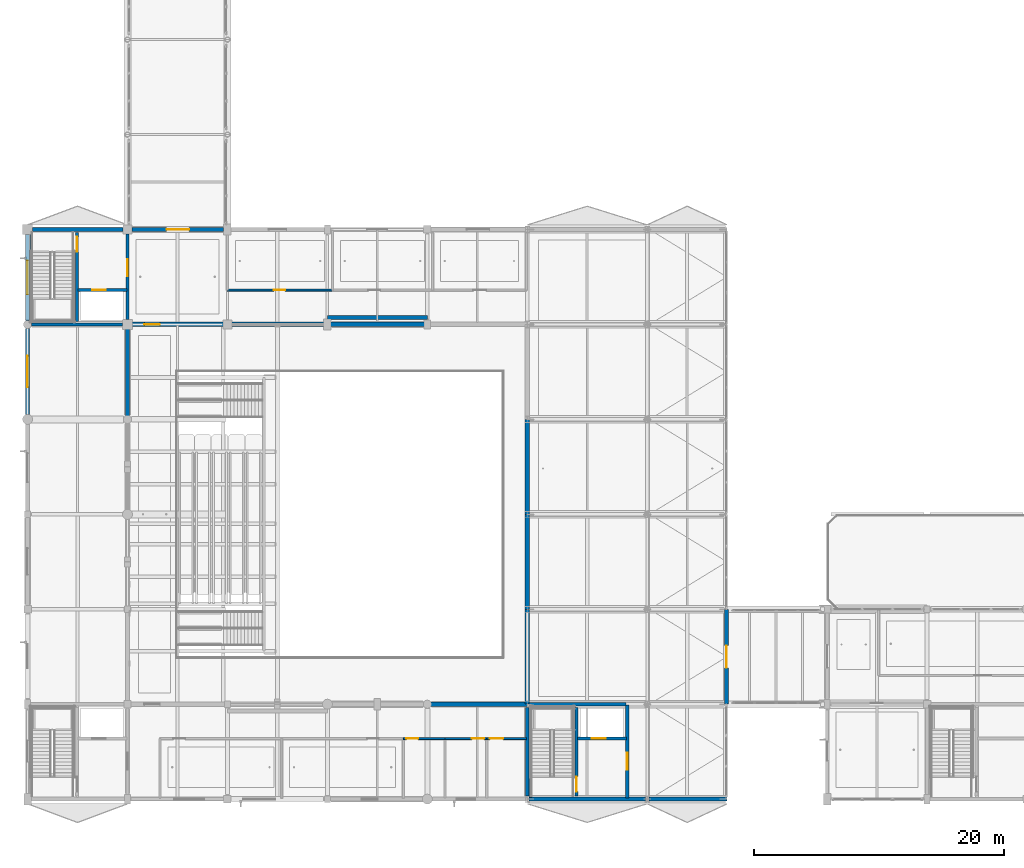
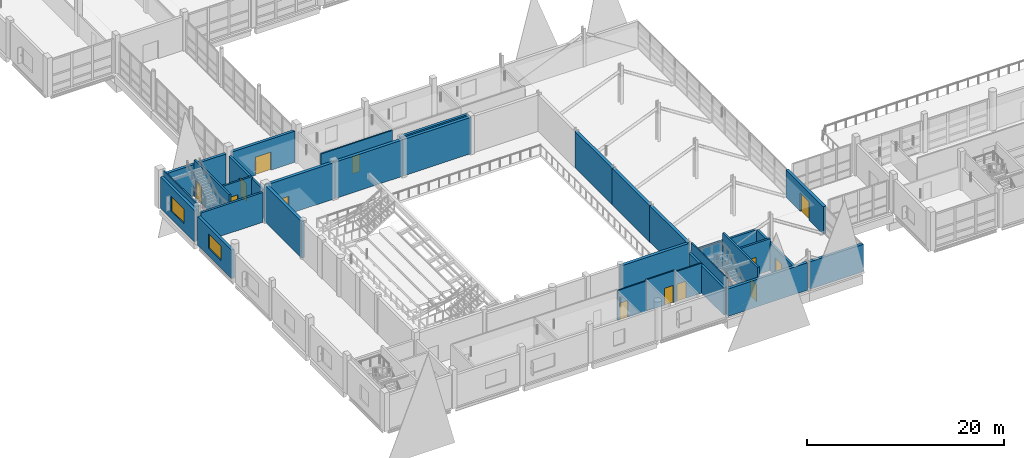
# One storey, part 86 of 147: 31 walls, 13 doors, 2 windows, 15 openings.
"""IFC4 building model written with IfcOpenShell, lengths in metres."""

from ifc_helpers import new_model, si_unit, direction, frame, frame_2d, origin, place, context, subcontext, project, spatial, rectangle, extrude, material, layer, layer_set, type_object, element, fill, save


model = new_model("IFC4")

# Units and contexts
model_context = context("Model", 3, precision=1e-05, world=origin(), true_north=direction((0.0, 1.0)))
body_context = subcontext(model_context, "Body", "Model", "MODEL_VIEW")
ifc_project = project(units=[si_unit("LENGTHUNIT", "METRE"), si_unit("AREAUNIT", "SQUARE_METRE"), si_unit("VOLUMEUNIT", "CUBIC_METRE"), si_unit("PLANEANGLEUNIT", "RADIAN"), si_unit("MASSUNIT", "GRAM", prefix="KILO")], contexts=[model_context])

# Site, building, storey
site_placement = place(None, origin())
site = spatial("IfcSite", under=ifc_project, at=site_placement, CompositionType="ELEMENT")
building_placement = place(site_placement, origin())
building = spatial("IfcBuilding", under=site, at=building_placement, Name="Khelvaren Railside Concert Hall", CompositionType="ELEMENT")
storey_placement = place(building_placement, frame((0.0, 0.0, 5.39990234375)))
storey = spatial("IfcBuildingStorey", under=building, at=storey_placement, Name="L01", CompositionType="ELEMENT", Elevation=5.39990234375)

# Walls
ifc_material_1 = material(Name="Concrete C40/50", Category="concrete")
ifc_layer_1 = layer(ifc_material_1, 0.139892578125)
ifc_layer_set_1 = layer_set([ifc_layer_1], Name="Concrete C40/50")
wall_type_1 = type_object("IfcWallType", Name="CW17", PredefinedType="SOLIDWALL", material=ifc_layer_set_1)
for number, where, z_axis, x_axis, name in (
    (1, (40.27490234375, 0.14990234375, 0.0), (0.0, 0.0, 1.0), (0.0, 1.0, 0.0), "Core Shaft Structural Liner Wall ST-02-L01"),
    (2, (0.27490234375, 38.14990234375, 0.0), (0.0, 0.0, 1.0), (0.0, 1.0, 0.0), "Core Shaft Structural Liner Wall ST-11-L01"),
):
    element("IfcWall", number, at=place(storey_placement, frame(where, z_axis=z_axis, x_axis=x_axis)), inside=storey, type_object=wall_type_1, Name=name, PredefinedType="SOLIDWALL", context=body_context, shape_type="SweptSolid", body=[
        extrude(rectangle(XDim=7.300048828125, YDim=0.139892578125, at=frame_2d((3.64990234375, 0.0))), origin(), (0.0, 0.0, 1.0), 4.510009765625),
    ])
ifc_layer_2 = layer(ifc_material_1, 0.25)
ifc_layer_set_2 = layer_set([ifc_layer_2], Name="Concrete C40/50")
wall_type_2 = type_object("IfcWallType", Name="CW82", PredefinedType="SOLIDWALL", material=ifc_layer_set_2)
wall_1_placement = place(storey_placement, frame((40.0, 0.25, 0.0), z_axis=(0.0, 0.0, 1.0), x_axis=(0.0, 1.0, 0.0)))
element("IfcWall", 3, at=wall_1_placement, inside=storey, type_object=wall_type_2, Name="Core Enclosure Wall CWALL-ST-02-L01-W", PredefinedType="SOLIDWALL", context=body_context, shape_type="SweptSolid", body=[
    extrude(rectangle(XDim=7.10009765625, YDim=0.25, at=frame_2d((3.550048828125, 0.0))), origin(), (0.0, 0.0, 1.0), 3.400146484375),
])
wall_2_placement = place(storey_placement, frame((40.14990234375, 7.60009765625, 0.0), z_axis=(0.0, 0.0, 1.0), x_axis=(1.0, 0.0, 0.0)))
element("IfcWall", 4, at=wall_2_placement, inside=storey, type_object=wall_type_2, Name="Core Enclosure Wall CWALL-ST-02-L01-N", PredefinedType="SOLIDWALL", context=body_context, shape_type="SweptSolid", body=[
    extrude(rectangle(XDim=7.77001953125, YDim=0.25, at=frame_2d((3.885009765625, 0.0))), origin(), (0.0, 0.0, 1.0), 3.400146484375),
])

# Wall, opening, door
wall_3_placement = place(storey_placement, frame((48.0, 0.080078125, 0.0), z_axis=(0.0, 0.0, 1.0), x_axis=(0.0, 1.0, 0.0)))
wall_3 = element("IfcWall", 5, at=wall_3_placement, inside=storey, type_object=wall_type_2, Name="Core Enclosure Wall CWALL-ST-02-L01-E", PredefinedType="SOLIDWALL", context=body_context, shape_type="SweptSolid", body=[
    extrude(rectangle(XDim=7.43994140625, YDim=0.25, at=frame_2d((3.719970703125, 0.0))), origin(), (0.0, 0.0, 1.0), 3.400146484375),
])
opening_1_placement = place(wall_3_placement, frame((2.27001953125, 0.0, 0.0)))
opening_1 = element("IfcOpeningElement", 6, at=opening_1_placement, cuts=wall_3, Name="Opening FDR34", PredefinedType="OPENING", context=body_context, shape_type="SweptSolid", body=[
    extrude(rectangle(XDim=1.35009765625, YDim=2.199951171875, at=frame_2d((0.675048828125, 1.10009765625))), frame((0.0, 0.135009765625, 0.0), z_axis=(0.0, -1.0, 0.0), x_axis=(1.0, 0.0, 0.0)), (0.0, 0.0, 1.0), 0.27001953125),
])
ifc_material_2 = material(Name="Acoustic fire-rated timber-core steel frame door", Category="steel")
door_type_1 = type_object("IfcDoorType", Name="FDR34", OperationType="NOTDEFINED", PredefinedType="DOOR", material=ifc_material_2)
door_1_placement = place(opening_1_placement, origin())
door_1 = element("IfcDoor", 7, at=door_1_placement, inside=storey, type_object=door_type_1, Name="Interior Door DR-ST-02-L01-LOB", OperationType="SINGLE_SWING_LEFT", OverallHeight=2.199951171875, OverallWidth=1.35009765625, PredefinedType="DOOR", context=body_context, shape_type="SweptSolid", body=[
    extrude(rectangle(XDim=1.35009765625, YDim=2.199951171875, at=frame_2d((0.675048828125, 1.10009765625))), frame((0.0, 0.02490234375, 0.0), z_axis=(0.0, -1.0, 0.0), x_axis=(1.0, 0.0, 0.0)), (0.0, 0.0, 1.0), 0.050048828125),
])
fill(opening_1, door_1)

# Wall
wall_4_placement = place(storey_placement, frame((0.324951171875, 38.0, 0.0), z_axis=(0.0, 0.0, 1.0), x_axis=(1.0, 0.0, 0.0)))
element("IfcWall", 8, at=wall_4_placement, inside=storey, type_object=wall_type_2, Name="Core Enclosure Wall CWALL-ST-11-L01-S", PredefinedType="SOLIDWALL", context=body_context, shape_type="SweptSolid", body=[
    extrude(rectangle(XDim=7.275146484375, YDim=0.25, at=frame_2d((3.6376953125, 0.0))), origin(), (0.0, 0.0, 1.0), 3.68505859375),
])

# Wall, opening, door
wall_5_placement = place(storey_placement, frame((8.0, 38.39990234375, 0.0), z_axis=(0.0, 0.0, 1.0), x_axis=(0.0, 1.0, 0.0)))
wall_5 = element("IfcWall", 9, at=wall_5_placement, inside=storey, type_object=wall_type_2, Name="Core Enclosure Wall CWALL-ST-11-L01-E", PredefinedType="SOLIDWALL", context=body_context, shape_type="SweptSolid", body=[
    extrude(rectangle(XDim=6.85009765625, YDim=0.25, at=frame_2d((3.425048828125, 0.0))), origin(), (0.0, 0.0, 1.0), 3.635009765625),
])
opening_2_placement = place(wall_5_placement, frame((3.449951171875, 0.0, 0.0)))
opening_2 = element("IfcOpeningElement", 10, at=opening_2_placement, cuts=wall_5, Name="Opening FDR34", PredefinedType="OPENING", context=body_context, shape_type="SweptSolid", body=[
    extrude(rectangle(XDim=1.35009765625, YDim=2.199951171875, at=frame_2d((0.675048828125, 1.10009765625))), frame((0.0, 0.135009765625, 0.0), z_axis=(0.0, -1.0, 0.0), x_axis=(1.0, 0.0, 0.0)), (0.0, 0.0, 1.0), 0.27001953125),
])
door_2_placement = place(opening_2_placement, origin())
door_2 = element("IfcDoor", 11, at=door_2_placement, inside=storey, type_object=door_type_1, Name="Interior Door DR-ST-11-L01-LOB", OperationType="SINGLE_SWING_LEFT", OverallHeight=2.199951171875, OverallWidth=1.35009765625, PredefinedType="DOOR", context=body_context, shape_type="SweptSolid", body=[
    extrude(rectangle(XDim=1.35009765625, YDim=2.199951171875, at=frame_2d((0.675048828125, 1.10009765625))), frame((0.0, 0.02490234375, 0.0), z_axis=(0.0, -1.0, 0.0), x_axis=(1.0, 0.0, 0.0)), (0.0, 0.0, 1.0), 0.050048828125),
])
fill(opening_2, door_2)

ifc_layer_3 = layer(ifc_material_1, 0.219970703125)
ifc_layer_set_3 = layer_set([ifc_layer_3], Name="Concrete C40/50")
wall_type_3 = type_object("IfcWallType", Name="CW97", PredefinedType="SOLIDWALL", material=ifc_layer_set_3)
wall_6_placement = place(storey_placement, frame((43.949951171875, 0.25, 0.0), z_axis=(0.0, 0.0, 1.0), x_axis=(0.0, 1.0, 0.0)))
wall_6 = element("IfcWall", 12, at=wall_6_placement, inside=storey, type_object=wall_type_3, Name="Core Enclosure Wall CWALL-ST-02-L01-MID", PredefinedType="SOLIDWALL", context=body_context, shape_type="SweptSolid", body=[
    extrude(rectangle(XDim=7.10009765625, YDim=0.219970703125, at=frame_2d((3.550048828125, 0.0))), origin(), (0.0, 0.0, 1.0), 4.510009765625),
])
opening_3_placement = place(wall_6_placement, frame((0.35009765625, 0.0, 0.0)))
opening_3 = element("IfcOpeningElement", 13, at=opening_3_placement, cuts=wall_6, Name="Opening FDR17", PredefinedType="OPENING", context=body_context, shape_type="SweptSolid", body=[
    extrude(rectangle(XDim=1.199951171875, YDim=2.14990234375, at=frame_2d((0.60009765625, 1.074951171875))), frame((0.0, 0.119873046875, 0.0), z_axis=(0.0, -1.0, 0.0), x_axis=(1.0, 0.0, 0.0)), (0.0, 0.0, 1.0), 0.239990234375),
])
door_type_2 = type_object("IfcDoorType", Name="FDR17", OperationType="NOTDEFINED", PredefinedType="DOOR", material=ifc_material_2)
door_3_placement = place(opening_3_placement, origin())
door_3 = element("IfcDoor", 14, at=door_3_placement, inside=storey, type_object=door_type_2, Name="Interior Door DR-ST-02-L01-ST", OperationType="SINGLE_SWING_RIGHT", OverallHeight=2.14990234375, OverallWidth=1.199951171875, PredefinedType="DOOR", context=body_context, shape_type="SweptSolid", body=[
    extrude(rectangle(XDim=1.199951171875, YDim=2.14990234375, at=frame_2d((0.60009765625, 1.074951171875))), frame((0.0, 0.02490234375, 0.0), z_axis=(0.0, -1.0, 0.0), x_axis=(1.0, 0.0, 0.0)), (0.0, 0.0, 1.0), 0.050048828125),
])
fill(opening_3, door_3)

wall_7_placement = place(storey_placement, frame((44.02001953125, 4.85009765625, 0.0), z_axis=(0.0, 0.0, 1.0), x_axis=(1.0, 0.0, 0.0)))
wall_7 = element("IfcWall", 15, at=wall_7_placement, inside=storey, type_object=wall_type_3, Name="Core Enclosure Wall CWALL-ST-02-L01-SHF", PredefinedType="SOLIDWALL", context=body_context, shape_type="SweptSolid", body=[
    extrude(rectangle(XDim=3.929931640625, YDim=0.219970703125, at=frame_2d((1.96484375, 0.0))), origin(), (0.0, 0.0, 1.0), 3.945068359375),
])
opening_4_placement = place(wall_7_placement, frame((1.14990234375, 0.0, 0.0)))
opening_4 = element("IfcOpeningElement", 16, at=opening_4_placement, cuts=wall_7, Name="Opening LD-PL-01", PredefinedType="OPENING", context=body_context, shape_type="SweptSolid", body=[
    extrude(rectangle(XDim=1.10009765625, YDim=2.199951171875, at=frame_2d((0.550048828125, 1.10009765625))), frame((0.0, 0.119873046875, 0.0), z_axis=(0.0, -1.0, 0.0), x_axis=(1.0, 0.0, 0.0)), (0.0, 0.0, 1.0), 0.239990234375),
])
ifc_material_3 = material(Name="Fire-rated brushed stainless steel landing door", Category="steel")
door_type_3 = type_object("IfcDoorType", Name="LD96", OperationType="DOUBLE_DOOR_SLIDING", PredefinedType="DOOR", material=ifc_material_3)
door_4_placement = place(opening_4_placement, origin())
door_4 = element("IfcDoor", 17, at=door_4_placement, inside=storey, type_object=door_type_3, Name="Lift Landing Door LD-PL-01-L01", OperationType="DOUBLE_DOOR_SLIDING", OverallHeight=2.199951171875, OverallWidth=1.10009765625, PredefinedType="DOOR", context=body_context, shape_type="SweptSolid", body=[
    extrude(rectangle(XDim=1.10009765625, YDim=2.199951171875, at=frame_2d((0.550048828125, 1.10009765625))), frame((0.0, 0.02490234375, 0.0), z_axis=(0.0, -1.0, 0.0), x_axis=(1.0, 0.0, 0.0)), (0.0, 0.0, 1.0), 0.050048828125),
])
fill(opening_4, door_4)

wall_8_placement = place(storey_placement, frame((3.949951171875, 38.25, 0.0), z_axis=(0.0, 0.0, 1.0), x_axis=(0.0, 1.0, 0.0)))
wall_8 = element("IfcWall", 18, at=wall_8_placement, inside=storey, type_object=wall_type_3, Name="Core Enclosure Wall CWALL-ST-11-L01-MID", PredefinedType="SOLIDWALL", context=body_context, shape_type="SweptSolid", body=[
    extrude(rectangle(XDim=7.10009765625, YDim=0.219970703125, at=frame_2d((3.550048828125, 0.0))), origin(), (0.0, 0.0, 1.0), 4.510009765625),
])
opening_5_placement = place(wall_8_placement, frame((5.550048828125, 0.0, 0.0)))
opening_5 = element("IfcOpeningElement", 19, at=opening_5_placement, cuts=wall_8, Name="Opening FDR17", PredefinedType="OPENING", context=body_context, shape_type="SweptSolid", body=[
    extrude(rectangle(XDim=1.199951171875, YDim=2.14990234375, at=frame_2d((0.60009765625, 1.074951171875))), frame((0.0, 0.119873046875, 0.0), z_axis=(0.0, -1.0, 0.0), x_axis=(1.0, 0.0, 0.0)), (0.0, 0.0, 1.0), 0.239990234375),
])
door_5_placement = place(opening_5_placement, origin())
door_5 = element("IfcDoor", 20, at=door_5_placement, inside=storey, type_object=door_type_2, Name="Interior Door DR-ST-11-L01-ST", OperationType="SINGLE_SWING_RIGHT", OverallHeight=2.14990234375, OverallWidth=1.199951171875, PredefinedType="DOOR", context=body_context, shape_type="SweptSolid", body=[
    extrude(rectangle(XDim=1.199951171875, YDim=2.14990234375, at=frame_2d((0.60009765625, 1.074951171875))), frame((0.0, 0.02490234375, 0.0), z_axis=(0.0, -1.0, 0.0), x_axis=(1.0, 0.0, 0.0)), (0.0, 0.0, 1.0), 0.050048828125),
])
fill(opening_5, door_5)

wall_9_placement = place(storey_placement, frame((4.02001953125, 40.75, 0.0), z_axis=(0.0, 0.0, 1.0), x_axis=(1.0, 0.0, 0.0)))
wall_9 = element("IfcWall", 21, at=wall_9_placement, inside=storey, type_object=wall_type_3, Name="Core Enclosure Wall CWALL-ST-11-L01-SHF", PredefinedType="SOLIDWALL", context=body_context, shape_type="SweptSolid", body=[
    extrude(rectangle(XDim=3.929931640625, YDim=0.219970703125, at=frame_2d((1.96484375, 0.0))), origin(), (0.0, 0.0, 1.0), 3.860107421875),
])
opening_6_placement = place(wall_9_placement, frame((1.14990234375, 0.0, 0.0)))
opening_6 = element("IfcOpeningElement", 22, at=opening_6_placement, cuts=wall_9, Name="Opening LD-GL-01", PredefinedType="OPENING", context=body_context, shape_type="SweptSolid", body=[
    extrude(rectangle(XDim=1.10009765625, YDim=2.199951171875, at=frame_2d((0.550048828125, 1.10009765625))), frame((0.0, 0.119873046875, 0.0), z_axis=(0.0, -1.0, 0.0), x_axis=(1.0, 0.0, 0.0)), (0.0, 0.0, 1.0), 0.239990234375),
])
door_6_placement = place(opening_6_placement, origin())
door_6 = element("IfcDoor", 23, at=door_6_placement, inside=storey, type_object=door_type_3, Name="Lift Landing Door LD-GL-01-L01", OperationType="DOUBLE_DOOR_SLIDING", OverallHeight=2.199951171875, OverallWidth=1.10009765625, PredefinedType="DOOR", context=body_context, shape_type="SweptSolid", body=[
    extrude(rectangle(XDim=1.10009765625, YDim=2.199951171875, at=frame_2d((0.550048828125, 1.10009765625))), frame((0.0, 0.02490234375, 0.0), z_axis=(0.0, -1.0, 0.0), x_axis=(1.0, 0.0, 0.0)), (0.0, 0.0, 1.0), 0.050048828125),
])
fill(opening_6, door_6)

# Walls
ifc_material_4 = material(Name="Board-marked architectural concrete C40/50", Category="concrete")
ifc_layer_4 = layer(ifc_material_4, 0.320068359375)
ifc_layer_set_4 = layer_set([ifc_layer_4], Name="Board-marked architectural concrete C40/50")
wall_type_4 = type_object("IfcWallType", Name="EW39", PredefinedType="SOLIDWALL", material=ifc_layer_set_4)
wall_10_placement = place(storey_placement, frame((49.449951171875, 0.0, 0.0), z_axis=(0.0, 0.0, 1.0), x_axis=(-1.0, 0.0, 0.0)))
element("IfcWall", 24, at=wall_10_placement, inside=storey, type_object=wall_type_4, Name="V1 L01 Exterior Concrete Wall S-40", PredefinedType="SOLIDWALL", context=body_context, shape_type="SweptSolid", body=[
    extrude(rectangle(XDim=9.300048828125, YDim=0.320068359375, at=frame_2d((4.64990234375, 0.0))), origin(), (0.0, 0.0, 1.0), 3.400146484375),
])
wall_11_placement = place(storey_placement, frame((56.0, 0.0, 0.0), z_axis=(0.0, 0.0, 1.0), x_axis=(-1.0, 0.0, 0.0)))
element("IfcWall", 25, at=wall_11_placement, inside=storey, type_object=wall_type_4, Name="V1 L01 Exterior Concrete Wall S-50", PredefinedType="SOLIDWALL", context=body_context, shape_type="SweptSolid", body=[
    extrude(rectangle(XDim=6.25, YDim=0.320068359375, at=frame_2d((3.125, 0.0))), origin(), (0.0, 0.0, 1.0), 3.400146484375),
])

# Wall, opening, window
wall_12_placement = place(storey_placement, frame((0.0, 30.800048828125, 0.0), z_axis=(0.0, 0.0, 1.0), x_axis=(0.0, 1.0, 0.0)))
wall_12 = element("IfcWall", 26, at=wall_12_placement, inside=storey, type_object=wall_type_4, Name="V1 L01 Exterior Concrete Wall W-30", PredefinedType="SOLIDWALL", context=body_context, shape_type="SweptSolid", body=[
    extrude(rectangle(XDim=6.875, YDim=0.320068359375, at=frame_2d((3.4375, 0.0))), origin(), (0.0, 0.0, 1.0), 3.550048828125),
])
opening_7_placement = place(wall_12_placement, frame((2.1875, 0.0, 0.949951171875)))
opening_7 = element("IfcOpeningElement", 27, at=opening_7_placement, cuts=wall_12, Name="Opening WN27", PredefinedType="OPENING", context=body_context, shape_type="SweptSolid", body=[
    extrude(rectangle(XDim=2.5, YDim=1.800048828125, at=frame_2d((1.25, 0.89990234375))), frame((0.0, 0.169921875, 0.0), z_axis=(0.0, -1.0, 0.0), x_axis=(1.0, 0.0, 0.0)), (0.0, 0.0, 1.0), 0.340087890625),
])
ifc_material_5 = material(Name="Triple-glazed acoustic aluminium window", Category="aluminium")
window_type_1 = type_object("IfcWindowType", Name="WN27", PartitioningType="DOUBLE_PANEL_VERTICAL", PredefinedType="WINDOW", material=ifc_material_5)
window_1_placement = place(opening_7_placement, origin())
window_1 = element("IfcWindow", 28, at=window_1_placement, inside=storey, type_object=window_type_1, Name="Acoustic Facade Window EW-V1-L01-W-30", OverallHeight=1.800048828125, OverallWidth=2.5, PartitioningType="DOUBLE_PANEL_VERTICAL", PredefinedType="WINDOW", context=body_context, shape_type="SweptSolid", body=[
    extrude(rectangle(XDim=2.5, YDim=1.800048828125, at=frame_2d((1.25, 0.89990234375))), frame((0.0, 0.030029296875, 0.0), z_axis=(0.0, -1.0, 0.0), x_axis=(1.0, 0.0, 0.0)), (0.0, 0.0, 1.0), 0.06005859375),
])
fill(opening_7, window_1)

wall_13_placement = place(storey_placement, frame((0.0, 38.324951171875, 0.0), z_axis=(0.0, 0.0, 1.0), x_axis=(0.0, 1.0, 0.0)))
wall_13 = element("IfcWall", 29, at=wall_13_placement, inside=storey, type_object=wall_type_4, Name="V1 L01 Exterior Concrete Wall W-38", PredefinedType="SOLIDWALL", context=body_context, shape_type="SweptSolid", body=[
    extrude(rectangle(XDim=6.875, YDim=0.320068359375, at=frame_2d((3.4375, 0.0))), origin(), (0.0, 0.0, 1.0), 3.900146484375),
])
opening_8_placement = place(wall_13_placement, frame((2.08740234375, 0.0, 0.949951171875)))
opening_8 = element("IfcOpeningElement", 30, at=opening_8_placement, cuts=wall_13, Name="Opening WN39", PredefinedType="OPENING", context=body_context, shape_type="SweptSolid", body=[
    extrude(rectangle(XDim=2.699951171875, YDim=1.800048828125, at=frame_2d((1.35009765625, 0.89990234375))), frame((0.0, 0.169921875, 0.0), z_axis=(0.0, -1.0, 0.0), x_axis=(1.0, 0.0, 0.0)), (0.0, 0.0, 1.0), 0.340087890625),
])
window_type_2 = type_object("IfcWindowType", Name="WN39", PartitioningType="DOUBLE_PANEL_VERTICAL", PredefinedType="WINDOW", material=ifc_material_5)
window_2_placement = place(opening_8_placement, origin())
window_2 = element("IfcWindow", 31, at=window_2_placement, inside=storey, type_object=window_type_2, Name="Acoustic Facade Window EW-V1-L01-W-38", OverallHeight=1.800048828125, OverallWidth=2.699951171875, PartitioningType="DOUBLE_PANEL_VERTICAL", PredefinedType="WINDOW", context=body_context, shape_type="SweptSolid", body=[
    extrude(rectangle(XDim=2.699951171875, YDim=1.800048828125, at=frame_2d((1.35009765625, 0.89990234375))), frame((0.0, 0.030029296875, 0.0), z_axis=(0.0, -1.0, 0.0), x_axis=(1.0, 0.0, 0.0)), (0.0, 0.0, 1.0), 0.06005859375),
])
fill(opening_8, window_2)

# Wall
wall_14_placement = place(storey_placement, frame((0.39990234375, 45.60009765625, 0.0), z_axis=(0.0, 0.0, 1.0), x_axis=(1.0, 0.0, 0.0)))
element("IfcWall", 32, at=wall_14_placement, inside=storey, type_object=wall_type_4, Name="V1 L01 Exterior Concrete Wall N-0", PredefinedType="SOLIDWALL", context=body_context, shape_type="SweptSolid", body=[
    extrude(rectangle(XDim=7.25, YDim=0.320068359375, at=frame_2d((3.625, 0.0))), origin(), (0.0, 0.0, 1.0), 3.85009765625),
])

# Wall, opening, door
wall_15_placement = place(storey_placement, frame((8.35009765625, 45.60009765625, 0.0), z_axis=(0.0, 0.0, 1.0), x_axis=(1.0, 0.0, 0.0)))
wall_15 = element("IfcWall", 33, at=wall_15_placement, inside=storey, type_object=wall_type_4, Name="V1 L01 Bridge Portal Wall N", PredefinedType="SOLIDWALL", context=body_context, shape_type="SweptSolid", body=[
    extrude(rectangle(XDim=7.349853515625, YDim=0.320068359375, at=frame_2d((3.6748046875, 0.0))), origin(), (0.0, 0.0, 1.0), 3.85009765625),
])
opening_9_placement = place(wall_15_placement, frame((2.77490234375, 0.0, 0.0)))
opening_9 = element("IfcOpeningElement", 34, at=opening_9_placement, cuts=wall_15, Name="Opening DR64", PredefinedType="OPENING", context=body_context, shape_type="SweptSolid", body=[
    extrude(rectangle(XDim=1.800048828125, YDim=2.25, at=frame_2d((0.89990234375, 1.125))), frame((0.0, 0.169921875, 0.0), z_axis=(0.0, -1.0, 0.0), x_axis=(1.0, 0.0, 0.0)), (0.0, 0.0, 1.0), 0.340087890625),
])
ifc_material_6 = material(Name="Glazed fire-rated steel frame door", Category="steel")
door_type_4 = type_object("IfcDoorType", Name="DR64", OperationType="DOUBLE_DOOR_SINGLE_SWING", PredefinedType="DOOR", material=ifc_material_6)
door_7_placement = place(opening_9_placement, origin())
door_7 = element("IfcDoor", 35, at=door_7_placement, inside=storey, type_object=door_type_4, Name="V1 L01 Link Bridge Portal Door", OperationType="DOUBLE_DOOR_SINGLE_SWING", OverallHeight=2.25, OverallWidth=1.800048828125, PredefinedType="DOOR", context=body_context, shape_type="SweptSolid", body=[
    extrude(rectangle(XDim=1.800048828125, YDim=2.25, at=frame_2d((0.89990234375, 1.125))), frame((0.0, 0.02490234375, 0.0), z_axis=(0.0, -1.0, 0.0), x_axis=(1.0, 0.0, 0.0)), (0.0, 0.0, 1.0), 0.050048828125),
])
fill(opening_9, door_7)

wall_16_placement = place(storey_placement, frame((55.93994140625, 15.199951171875, 0.0), z_axis=(0.0, 0.0, 1.0), x_axis=(0.0, -1.0, 0.0)))
wall_16 = element("IfcWall", 36, at=wall_16_placement, inside=storey, type_object=wall_type_4, Name="V1 L01 Bridge Portal Wall E", PredefinedType="SOLIDWALL", context=body_context, shape_type="SweptSolid", body=[
    extrude(rectangle(XDim=7.599853515625, YDim=0.320068359375, at=frame_2d((3.7998046875, 0.0))), origin(), (0.0, 0.0, 1.0), 3.400146484375),
])
opening_10_placement = place(wall_16_placement, frame((2.89990234375, 0.0, 0.0)))
opening_10 = element("IfcOpeningElement", 37, at=opening_10_placement, cuts=wall_16, Name="Opening DR64", PredefinedType="OPENING", context=body_context, shape_type="SweptSolid", body=[
    extrude(rectangle(XDim=1.800048828125, YDim=2.25, at=frame_2d((0.89990234375, 1.125))), frame((0.0, 0.169921875, 0.0), z_axis=(0.0, -1.0, 0.0), x_axis=(1.0, 0.0, 0.0)), (0.0, 0.0, 1.0), 0.340087890625),
])
door_8_placement = place(opening_10_placement, origin())
door_8 = element("IfcDoor", 38, at=door_8_placement, inside=storey, type_object=door_type_4, Name="V1 L01 Link Bridge Portal Door", OperationType="DOUBLE_DOOR_SINGLE_SWING", OverallHeight=2.25, OverallWidth=1.800048828125, PredefinedType="DOOR", context=body_context, shape_type="SweptSolid", body=[
    extrude(rectangle(XDim=1.800048828125, YDim=2.25, at=frame_2d((0.89990234375, 1.125))), frame((0.0, 0.02490234375, 0.0), z_axis=(0.0, -1.0, 0.0), x_axis=(1.0, 0.0, 0.0)), (0.0, 0.0, 1.0), 0.050048828125),
])
fill(opening_10, door_8)

ifc_material_7 = material(Name="Acoustic double-stud gypsum partition", Category="gypsum")
ifc_layer_5 = layer(ifc_material_7, 0.159912109375)
ifc_layer_set_5 = layer_set([ifc_layer_5], Name="Acoustic double-stud gypsum partition")
wall_type_5 = type_object("IfcWallType", Name="PT19", PredefinedType="PARTITIONING", material=ifc_layer_set_5)
wall_17_placement = place(storey_placement, frame((16.0, 40.75, 0.0), z_axis=(0.0, 0.0, 1.0), x_axis=(1.0, 0.0, 0.0)))
wall_17 = element("IfcWall", 39, at=wall_17_placement, inside=storey, type_object=wall_type_5, Name="Acoustic Partition Wall PW-V1-L01-N1-C01", PredefinedType="PARTITIONING", context=body_context, shape_type="SweptSolid", body=[
    extrude(rectangle(XDim=8.406982421875, YDim=0.159912109375, at=frame_2d((4.20361328125, 0.0))), origin(), (0.0, 0.0, 1.0), 3.81005859375),
])
opening_11_placement = place(wall_17_placement, frame((3.70361328125, 0.0, 0.0)))
opening_11 = element("IfcOpeningElement", 40, at=opening_11_placement, cuts=wall_17, Name="Opening IDR15", PredefinedType="OPENING", context=body_context, shape_type="SweptSolid", body=[
    extrude(rectangle(XDim=0.919921875, YDim=2.14990234375, at=frame_2d((0.4599609375, 1.074951171875))), frame((0.0, 0.08984375, 0.0), z_axis=(0.0, -1.0, 0.0), x_axis=(1.0, 0.0, 0.0)), (0.0, 0.0, 1.0), 0.179931640625),
])
ifc_material_8 = material(Name="Solid oak acoustic studio door", Category="wood")
door_type_5 = type_object("IfcDoorType", Name="IDR15", OperationType="NOTDEFINED", PredefinedType="DOOR", material=ifc_material_8)
door_9_placement = place(opening_11_placement, origin())
door_9 = element("IfcDoor", 41, at=door_9_placement, inside=storey, type_object=door_type_5, Name="Interior Door DR-V1-L01-N1-01", OperationType="SINGLE_SWING_LEFT", OverallHeight=2.14990234375, OverallWidth=0.919921875, PredefinedType="DOOR", context=body_context, shape_type="SweptSolid", body=[
    extrude(rectangle(XDim=0.919921875, YDim=2.14990234375, at=frame_2d((0.4599609375, 1.074951171875))), frame((0.0, 0.02490234375, 0.0), z_axis=(0.0, -1.0, 0.0), x_axis=(1.0, 0.0, 0.0)), (0.0, 0.0, 1.0), 0.050048828125),
])
fill(opening_11, door_9)

ifc_layer_6 = layer(ifc_material_7, 0.14990234375)
ifc_layer_set_6 = layer_set([ifc_layer_6], Name="Acoustic double-stud gypsum partition")
wall_type_6 = type_object("IfcWallType", Name="PT72", PredefinedType="PARTITIONING", material=ifc_layer_set_6)
wall_18_placement = place(storey_placement, frame((30.083984375, 4.85009765625, 0.0), z_axis=(0.0, 0.0, 1.0), x_axis=(1.0, 0.0, 0.0)))
wall_18 = element("IfcWall", 42, at=wall_18_placement, inside=storey, type_object=wall_type_6, Name="Acoustic Partition Wall PW-V1-L01-S1-C03", PredefinedType="PARTITIONING", context=body_context, shape_type="SweptSolid", body=[
    extrude(rectangle(XDim=3.340087890625, YDim=0.14990234375, at=frame_2d((1.669921875, 0.0))), origin(), (0.0, 0.0, 1.0), 3.735107421875),
])
opening_12_placement = place(wall_18_placement, frame((0.219970703125, 0.0, 0.0)))
opening_12 = element("IfcOpeningElement", 43, at=opening_12_placement, cuts=wall_18, Name="Opening IDR22", PredefinedType="OPENING", context=body_context, shape_type="SweptSolid", body=[
    extrude(rectangle(XDim=0.9599609375, YDim=2.10009765625, at=frame_2d((0.47998046875, 1.050048828125))), frame((0.0, 0.0849609375, 0.0), z_axis=(0.0, -1.0, 0.0), x_axis=(1.0, 0.0, 0.0)), (0.0, 0.0, 1.0), 0.169921875),
])
door_type_6 = type_object("IfcDoorType", Name="IDR22", OperationType="NOTDEFINED", PredefinedType="DOOR", material=ifc_material_8)
door_10_placement = place(opening_12_placement, origin())
door_10 = element("IfcDoor", 44, at=door_10_placement, inside=storey, type_object=door_type_6, Name="Interior Door DR-V1-L01-S1-03", OperationType="SINGLE_SWING_RIGHT", OverallHeight=2.10009765625, OverallWidth=0.9599609375, PredefinedType="DOOR", context=body_context, shape_type="SweptSolid", body=[
    extrude(rectangle(XDim=0.9599609375, YDim=2.10009765625, at=frame_2d((0.47998046875, 1.050048828125))), frame((0.0, 0.02490234375, 0.0), z_axis=(0.0, -1.0, 0.0), x_axis=(1.0, 0.0, 0.0)), (0.0, 0.0, 1.0), 0.050048828125),
])
fill(opening_12, door_10)

wall_19_placement = place(storey_placement, frame((33.424072265625, 4.85009765625, 0.0), z_axis=(0.0, 0.0, 1.0), x_axis=(1.0, 0.0, 0.0)))
wall_19 = element("IfcWall", 45, at=wall_19_placement, inside=storey, type_object=wall_type_6, Name="Acoustic Partition Wall PW-V1-L01-S1-C04", PredefinedType="PARTITIONING", context=body_context, shape_type="SweptSolid", body=[
    extrude(rectangle(XDim=3.33984375, YDim=0.14990234375, at=frame_2d((1.669921875, 0.0))), origin(), (0.0, 0.0, 1.0), 3.89501953125),
])
opening_13_placement = place(wall_19_placement, frame((2.1201171875, 0.0, 0.0)))
opening_13 = element("IfcOpeningElement", 46, at=opening_13_placement, cuts=wall_19, Name="Opening IDR87", PredefinedType="OPENING", context=body_context, shape_type="SweptSolid", body=[
    extrude(rectangle(XDim=1.02001953125, YDim=2.10009765625, at=frame_2d((0.510009765625, 1.050048828125))), frame((0.0, 0.0849609375, 0.0), z_axis=(0.0, -1.0, 0.0), x_axis=(1.0, 0.0, 0.0)), (0.0, 0.0, 1.0), 0.169921875),
])
door_type_7 = type_object("IfcDoorType", Name="IDR87", OperationType="NOTDEFINED", PredefinedType="DOOR", material=ifc_material_8)
door_11_placement = place(opening_13_placement, origin())
door_11 = element("IfcDoor", 47, at=door_11_placement, inside=storey, type_object=door_type_7, Name="Interior Door DR-V1-L01-S1-04", OperationType="SINGLE_SWING_LEFT", OverallHeight=2.10009765625, OverallWidth=1.02001953125, PredefinedType="DOOR", context=body_context, shape_type="SweptSolid", body=[
    extrude(rectangle(XDim=1.02001953125, YDim=2.10009765625, at=frame_2d((0.510009765625, 1.050048828125))), frame((0.0, 0.02490234375, 0.0), z_axis=(0.0, -1.0, 0.0), x_axis=(1.0, 0.0, 0.0)), (0.0, 0.0, 1.0), 0.050048828125),
])
fill(opening_13, door_11)

wall_20_placement = place(storey_placement, frame((36.763916015625, 4.85009765625, 0.0), z_axis=(0.0, 0.0, 1.0), x_axis=(1.0, 0.0, 0.0)))
wall_20 = element("IfcWall", 48, at=wall_20_placement, inside=storey, type_object=wall_type_6, Name="Acoustic Partition Wall PW-V1-L01-S1-C05", PredefinedType="PARTITIONING", context=body_context, shape_type="SweptSolid", body=[
    extrude(rectangle(XDim=3.156005859375, YDim=0.14990234375, at=frame_2d((1.578125, 0.0))), origin(), (0.0, 0.0, 1.0), 3.68505859375),
])
opening_14_placement = place(wall_20_placement, frame((0.219970703125, 0.0, 0.0)))
opening_14 = element("IfcOpeningElement", 49, at=opening_14_placement, cuts=wall_20, Name="Opening IDR70", PredefinedType="OPENING", context=body_context, shape_type="SweptSolid", body=[
    extrude(rectangle(XDim=1.080078125, YDim=2.10009765625, at=frame_2d((0.5400390625, 1.050048828125))), frame((0.0, 0.0849609375, 0.0), z_axis=(0.0, -1.0, 0.0), x_axis=(1.0, 0.0, 0.0)), (0.0, 0.0, 1.0), 0.169921875),
])
door_type_8 = type_object("IfcDoorType", Name="IDR70", OperationType="NOTDEFINED", PredefinedType="DOOR", material=ifc_material_8)
door_12_placement = place(opening_14_placement, origin())
door_12 = element("IfcDoor", 50, at=door_12_placement, inside=storey, type_object=door_type_8, Name="Interior Door DR-V1-L01-S1-05", OperationType="SINGLE_SWING_RIGHT", OverallHeight=2.10009765625, OverallWidth=1.080078125, PredefinedType="DOOR", context=body_context, shape_type="SweptSolid", body=[
    extrude(rectangle(XDim=1.080078125, YDim=2.10009765625, at=frame_2d((0.5400390625, 1.050048828125))), frame((0.0, 0.02490234375, 0.0), z_axis=(0.0, -1.0, 0.0), x_axis=(1.0, 0.0, 0.0)), (0.0, 0.0, 1.0), 0.050048828125),
])
fill(opening_14, door_12)

# Walls
ifc_layer_7 = layer(ifc_material_1, 0.300048828125)
ifc_layer_set_7 = layer_set([ifc_layer_7], Name="Concrete C40/50")
wall_type_7 = type_object("IfcWallType", Name="SW62", PredefinedType="SHEAR", material=ifc_layer_set_7)
wall_21_placement = place(storey_placement, frame((24.0, 38.550048828125, 0.0), z_axis=(0.0, 0.0, 1.0), x_axis=(1.0, 0.0, 0.0)))
element("IfcWall", 51, at=wall_21_placement, inside=storey, type_object=wall_type_7, Name="V1 Outer Box Isolation Wall L01-2", PredefinedType="SHEAR", context=body_context, shape_type="SweptSolid", body=[
    extrude(rectangle(XDim=8.0, YDim=0.300048828125, at=frame_2d((4.0, 0.0))), origin(), (0.0, 0.0, 1.0), 4.510009765625),
])
ifc_layer_8 = layer(ifc_material_1, 0.35009765625)
ifc_layer_set_8 = layer_set([ifc_layer_8], Name="Concrete C40/50")
wall_type_8 = type_object("IfcWallType", Name="SW91", PredefinedType="SHEAR", material=ifc_layer_set_8)
wall_22_placement = place(storey_placement, frame((32.0, 7.60009765625, 0.0), z_axis=(0.0, 0.0, 1.0), x_axis=(1.0, 0.0, 0.0)))
element("IfcWall", 52, at=wall_22_placement, inside=storey, type_object=wall_type_8, Name="V1 Acoustic Box Shear Wall L01 S4", PredefinedType="SHEAR", context=body_context, shape_type="SweptSolid", body=[
    extrude(rectangle(XDim=8.0, YDim=0.35009765625, at=frame_2d((4.0, 0.0))), origin(), (0.0, 0.0, 1.0), 4.510009765625),
])

# Wall, opening, door
wall_23_placement = place(storey_placement, frame((8.0, 38.0, 0.0), z_axis=(0.0, 0.0, 1.0), x_axis=(1.0, 0.0, 0.0)))
wall_23 = element("IfcWall", 53, at=wall_23_placement, inside=storey, type_object=wall_type_8, Name="V1 Acoustic Box Shear Wall L01 N1", PredefinedType="SHEAR", context=body_context, shape_type="SweptSolid", body=[
    extrude(rectangle(XDim=8.0, YDim=0.35009765625, at=frame_2d((4.0, 0.0))), origin(), (0.0, 0.0, 1.0), 4.510009765625),
])
opening_15_placement = place(wall_23_placement, frame((1.35009765625, 0.0, 0.0)))
opening_15 = element("IfcOpeningElement", 54, at=opening_15_placement, cuts=wall_23, Name="Opening ADR42", PredefinedType="OPENING", context=body_context, shape_type="SweptSolid", body=[
    extrude(rectangle(XDim=1.25, YDim=2.199951171875, at=frame_2d((0.625, 1.10009765625))), frame((0.0, 0.18505859375, 0.0), z_axis=(0.0, -1.0, 0.0), x_axis=(1.0, 0.0, 0.0)), (0.0, 0.0, 1.0), 0.3701171875),
])
ifc_material_9 = material(Name="Heavy acoustic double sound-lock fire door", Category="wood")
door_type_9 = type_object("IfcDoorType", Name="ADR42", OperationType="DOUBLE_DOOR_SINGLE_SWING", PredefinedType="DOOR", material=ifc_material_9)
door_13_placement = place(opening_15_placement, origin())
door_13 = element("IfcDoor", 55, at=door_13_placement, inside=storey, type_object=door_type_9, Name="Main Concert Hall Acoustic Sound-Lock Door L01-N1", OperationType="DOUBLE_DOOR_SINGLE_SWING", OverallHeight=2.199951171875, OverallWidth=1.25, PredefinedType="DOOR", context=body_context, shape_type="SweptSolid", body=[
    extrude(rectangle(XDim=1.25, YDim=2.199951171875, at=frame_2d((0.625, 1.10009765625))), frame((0.0, 0.02490234375, 0.0), z_axis=(0.0, -1.0, 0.0), x_axis=(1.0, 0.0, 0.0)), (0.0, 0.0, 1.0), 0.050048828125),
])
fill(opening_15, door_13)

# Walls
for number, where, z_axis, x_axis, name in (
    (56, (16.0, 38.0, 0.0), (0.0, 0.0, 1.0), (1.0, 0.0, 0.0), "V1 Acoustic Box Shear Wall L01 N2"),
    (57, (24.0, 38.0, 0.0), (0.0, 0.0, 1.0), (1.0, 0.0, 0.0), "V1 Acoustic Box Shear Wall L01 N3"),
):
    element("IfcWall", number, at=place(storey_placement, frame(where, z_axis=z_axis, x_axis=x_axis)), inside=storey, type_object=wall_type_8, Name=name, PredefinedType="SHEAR", context=body_context, shape_type="SweptSolid", body=[
        extrude(rectangle(XDim=8.0, YDim=0.35009765625, at=frame_2d((4.0, 0.0))), origin(), (0.0, 0.0, 1.0), 4.510009765625),
    ])
wall_24_placement = place(storey_placement, frame((8.0, 30.39990234375, 0.0), z_axis=(0.0, 0.0, 1.0), x_axis=(0.0, 1.0, 0.0)))
element("IfcWall", 58, at=wall_24_placement, inside=storey, type_object=wall_type_8, Name="V1 Acoustic Box Shear Wall L01 W4", PredefinedType="SHEAR", context=body_context, shape_type="SweptSolid", body=[
    extrude(rectangle(XDim=7.60009765625, YDim=0.35009765625, at=frame_2d((3.800048828125, 0.0))), origin(), (0.0, 0.0, 1.0), 4.510009765625),
])
wall_25_placement = place(storey_placement, frame((40.0, 7.60009765625, 0.0), z_axis=(0.0, 0.0, 1.0), x_axis=(0.0, 1.0, 0.0)))
element("IfcWall", 59, at=wall_25_placement, inside=storey, type_object=wall_type_8, Name="V1 Acoustic Box Shear Wall L01 E1", PredefinedType="SHEAR", context=body_context, shape_type="SweptSolid", body=[
    extrude(rectangle(XDim=7.599853515625, YDim=0.35009765625, at=frame_2d((3.7998046875, 0.0))), origin(), (0.0, 0.0, 1.0), 4.510009765625),
])
wall_26_placement = place(storey_placement, frame((40.0, 15.199951171875, 0.0), z_axis=(0.0, 0.0, 1.0), x_axis=(0.0, 1.0, 0.0)))
element("IfcWall", 60, at=wall_26_placement, inside=storey, type_object=wall_type_8, Name="V1 Acoustic Box Shear Wall L01 E2", PredefinedType="SHEAR", context=body_context, shape_type="SweptSolid", body=[
    extrude(rectangle(XDim=7.60009765625, YDim=0.35009765625, at=frame_2d((3.800048828125, 0.0))), origin(), (0.0, 0.0, 1.0), 4.510009765625),
])
wall_27_placement = place(storey_placement, frame((40.0, 22.800048828125, 0.0), z_axis=(0.0, 0.0, 1.0), x_axis=(0.0, 1.0, 0.0)))
element("IfcWall", 61, at=wall_27_placement, inside=storey, type_object=wall_type_8, Name="V1 Acoustic Box Shear Wall L01 E3", PredefinedType="SHEAR", context=body_context, shape_type="SweptSolid", body=[
    extrude(rectangle(XDim=7.599853515625, YDim=0.35009765625, at=frame_2d((3.7998046875, 0.0))), origin(), (0.0, 0.0, 1.0), 4.510009765625),
])

save(model, "model.ifc")
